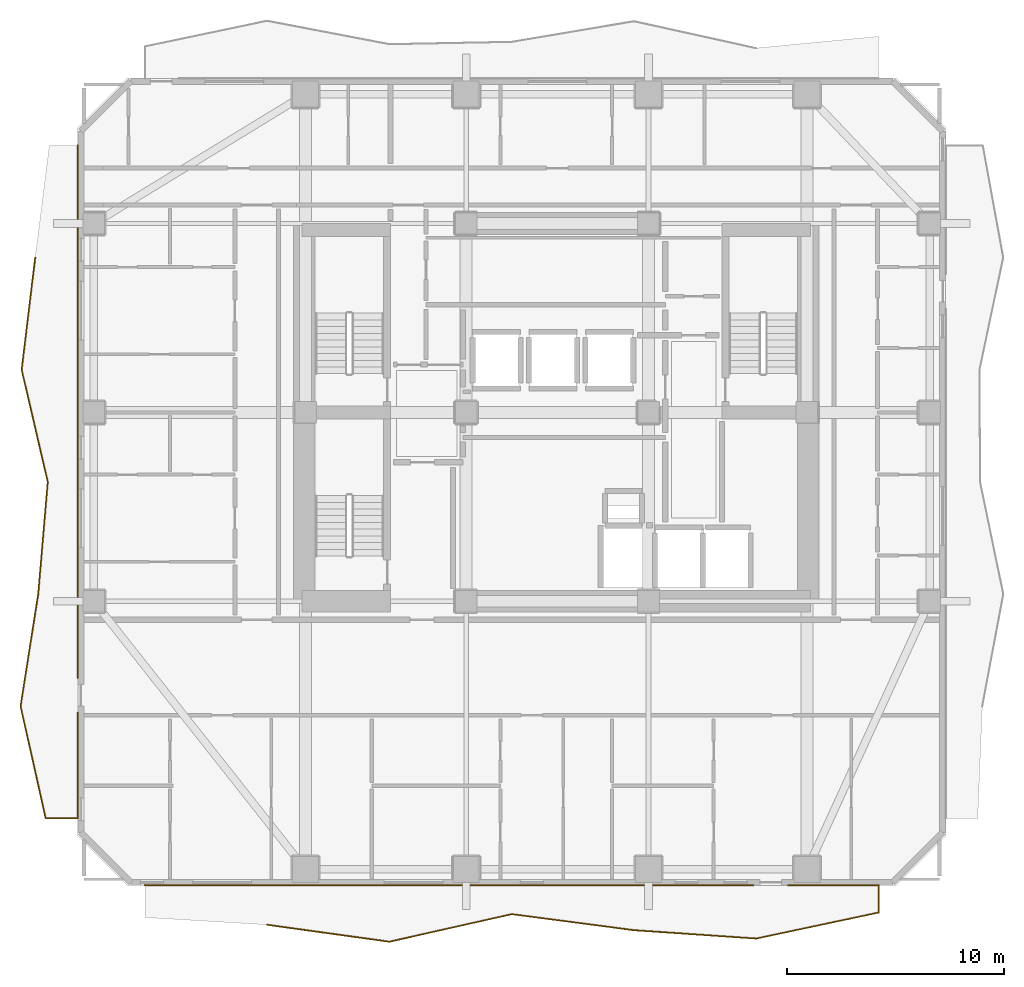
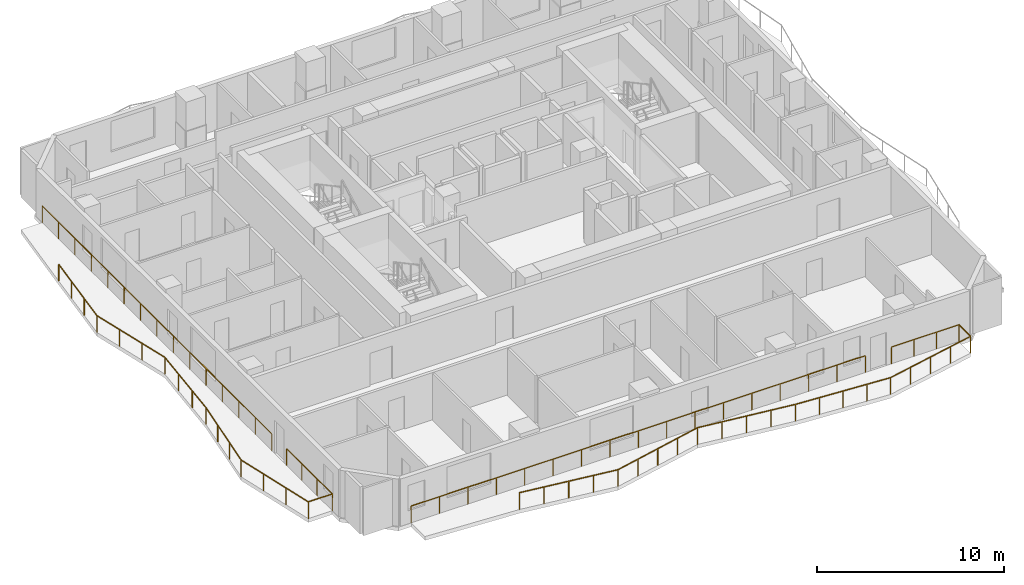
# One storey, part 8 of 11: 4 railings.
"""IFC4 building model written with IfcOpenShell, lengths in metres."""

from ifc_helpers import new_model, si_unit, direction, frame, origin, origin_2d, place, context, subcontext, project, spatial, rectangle, extrude, material, type_object, element, save


model = new_model("IFC4")

# Units and contexts
model_context = context("Model", 3, precision=1e-05, world=origin(), true_north=direction((0.0, 1.0)))
body_context = subcontext(model_context, "Body", "Model", "MODEL_VIEW")
ifc_project = project(units=[si_unit("LENGTHUNIT", "METRE"), si_unit("AREAUNIT", "SQUARE_METRE"), si_unit("VOLUMEUNIT", "CUBIC_METRE"), si_unit("PLANEANGLEUNIT", "RADIAN"), si_unit("MASSUNIT", "GRAM", prefix="KILO")], contexts=[model_context])

# Site, building, storey
site_placement = place(None, origin())
site = spatial("IfcSite", under=ifc_project, at=site_placement, CompositionType="ELEMENT")
building_placement = place(site_placement, origin())
building = spatial("IfcBuilding", under=site, at=building_placement, Name="Solanera Arch Residences", CompositionType="ELEMENT")
storey_placement = place(building_placement, frame((0.0, 0.0, 109.39990234375)))
storey = spatial("IfcBuildingStorey", under=building, at=storey_placement, Name="L31", CompositionType="ELEMENT", Elevation=109.39990234375)

# Railings
ifc_material = material(Name="Steel S355 (ASTM A992 / A572 Grade 50)", Category="steel")
railing_type = type_object("IfcRailingType", Name="Balustrade Railing BL-1100", PredefinedType="BALUSTRADE", material=ifc_material)
railing_1_placement = place(storey_placement, frame((11.633056640625, 7.09912109375, 0.0)))
element("IfcRailing", 1, at=railing_1_placement, inside=storey, type_object=railing_type, Name="L31 S Balcony Balustrade 1", PredefinedType="BALUSTRADE", context=body_context, shape_type="SweptSolid", body=[
    extrude(rectangle(XDim=0.048095703125, YDim=0.048095703125, at=origin_2d()), frame((0.0, 0.0, 1.09619140625), z_axis=(0.990551481572, -0.137141395486, 0.0), x_axis=(0.137141395486, 0.990551481572, 0.0)), (0.0, 0.0, 1.0), 5.687744140625),
    extrude(rectangle(XDim=0.048095703125, YDim=0.048095703125, at=origin_2d()), frame((5.634033203125, -0.780029296875, 1.09619140625), z_axis=(0.9755572075, 0.219745614051, 0.0), x_axis=(-0.219745614051, 0.9755572075, 0.0)), (0.0, 0.0, 1.0), 5.77392578125),
    extrude(rectangle(XDim=0.048095703125, YDim=0.048095703125, at=origin_2d()), frame((11.266845703125, 0.48876953125, 1.09619140625), z_axis=(0.991509348946, -0.130035421918, 0.0), x_axis=(0.130035421918, 0.991509348946, 0.0)), (0.0, 0.0, 1.0), 5.681396484375),
    extrude(rectangle(XDim=0.048095703125, YDim=0.048095703125, at=origin_2d()), frame((16.89990234375, -0.25, 1.09619140625), z_axis=(0.997684959487, -0.068005305771, 0.0), x_axis=(0.068005305771, 0.997684959487, 0.0)), (0.0, 0.0, 1.0), 5.647216796875),
    extrude(rectangle(XDim=0.048095703125, YDim=0.048095703125, at=origin_2d()), frame((22.533935546875, -0.634033203125, 1.09619140625), z_axis=(0.978089953709, 0.20818271411, 0.0), x_axis=(-0.20818271411, 0.978089953709, 0.0)), (0.0, 0.0, 1.0), 5.75927734375),
    extrude(rectangle(XDim=0.048095703125, YDim=0.048095703125, at=origin_2d()), frame((28.1669921875, 0.56494140625, 1.09619140625), z_axis=(0.0, 1.0, 0.0), x_axis=(-1.0, 0.0, 0.0)), (0.0, 0.0, 1.0), 1.255859375),
    extrude(rectangle(XDim=0.048095703125, YDim=0.048095703125, at=origin_2d()), frame((28.1669921875, 1.82080078125, 1.09619140625), z_axis=(-1.0, 0.0, 0.0), x_axis=(0.0, -1.0, 0.0)), (0.0, 0.0, 1.0), 4.1689453125),
    extrude(rectangle(XDim=0.0419921875, YDim=0.0419921875, at=origin_2d()), origin(), (0.0, 0.0, 1.0), 1.072021484375),
    extrude(rectangle(XDim=0.0419921875, YDim=0.0419921875, at=origin_2d()), frame((1.408447265625, -0.195068359375, 0.0)), (0.0, 0.0, 1.0), 1.072021484375),
    extrude(rectangle(XDim=0.0419921875, YDim=0.0419921875, at=origin_2d()), frame((2.81689453125, -0.39013671875, 0.0)), (0.0, 0.0, 1.0), 1.072021484375),
    extrude(rectangle(XDim=0.0419921875, YDim=0.0419921875, at=origin_2d()), frame((4.2255859375, -0.5849609375, 0.0)), (0.0, 0.0, 1.0), 1.072021484375),
    extrude(rectangle(XDim=0.0419921875, YDim=0.0419921875, at=origin_2d()), frame((5.634033203125, -0.780029296875, 0.0)), (0.0, 0.0, 1.0), 1.072021484375),
    extrude(rectangle(XDim=0.0419921875, YDim=0.0419921875, at=origin_2d()), frame((7.042236328125, -0.462890625, 0.0)), (0.0, 0.0, 1.0), 1.072021484375),
    extrude(rectangle(XDim=0.0419921875, YDim=0.0419921875, at=origin_2d()), frame((8.450439453125, -0.1455078125, 0.0)), (0.0, 0.0, 1.0), 1.072021484375),
    extrude(rectangle(XDim=0.0419921875, YDim=0.0419921875, at=origin_2d()), frame((9.858642578125, 0.171630859375, 0.0)), (0.0, 0.0, 1.0), 1.072021484375),
    extrude(rectangle(XDim=0.0419921875, YDim=0.0419921875, at=origin_2d()), frame((11.266845703125, 0.48876953125, 0.0)), (0.0, 0.0, 1.0), 1.072021484375),
    extrude(rectangle(XDim=0.0419921875, YDim=0.0419921875, at=origin_2d()), frame((12.675048828125, 0.30419921875, 0.0)), (0.0, 0.0, 1.0), 1.072021484375),
    extrude(rectangle(XDim=0.0419921875, YDim=0.0419921875, at=origin_2d()), frame((14.08349609375, 0.119384765625, 0.0)), (0.0, 0.0, 1.0), 1.072021484375),
    extrude(rectangle(XDim=0.0419921875, YDim=0.0419921875, at=origin_2d()), frame((15.49169921875, -0.0654296875, 0.0)), (0.0, 0.0, 1.0), 1.072021484375),
    extrude(rectangle(XDim=0.0419921875, YDim=0.0419921875, at=origin_2d()), frame((16.89990234375, -0.25, 0.0)), (0.0, 0.0, 1.0), 1.072021484375),
    extrude(rectangle(XDim=0.0419921875, YDim=0.0419921875, at=origin_2d()), frame((18.308349609375, -0.345947265625, 0.0)), (0.0, 0.0, 1.0), 1.072021484375),
    extrude(rectangle(XDim=0.0419921875, YDim=0.0419921875, at=origin_2d()), frame((19.716796875, -0.44189453125, 0.0)), (0.0, 0.0, 1.0), 1.072021484375),
    extrude(rectangle(XDim=0.0419921875, YDim=0.0419921875, at=origin_2d()), frame((21.12548828125, -0.5380859375, 0.0)), (0.0, 0.0, 1.0), 1.072021484375),
    extrude(rectangle(XDim=0.0419921875, YDim=0.0419921875, at=origin_2d()), frame((22.533935546875, -0.634033203125, 0.0)), (0.0, 0.0, 1.0), 1.072021484375),
    extrude(rectangle(XDim=0.0419921875, YDim=0.0419921875, at=origin_2d()), frame((23.942138671875, -0.334228515625, 0.0)), (0.0, 0.0, 1.0), 1.072021484375),
    extrude(rectangle(XDim=0.0419921875, YDim=0.0419921875, at=origin_2d()), frame((25.3505859375, -0.03466796875, 0.0)), (0.0, 0.0, 1.0), 1.072021484375),
    extrude(rectangle(XDim=0.0419921875, YDim=0.0419921875, at=origin_2d()), frame((26.7587890625, 0.26513671875, 0.0)), (0.0, 0.0, 1.0), 1.072021484375),
    extrude(rectangle(XDim=0.0419921875, YDim=0.0419921875, at=origin_2d()), frame((28.1669921875, 0.56494140625, 0.0)), (0.0, 0.0, 1.0), 1.072021484375),
    extrude(rectangle(XDim=0.0419921875, YDim=0.0419921875, at=origin_2d()), frame((28.1669921875, 1.82080078125, 0.0)), (0.0, 0.0, 1.0), 1.072021484375),
    extrude(rectangle(XDim=0.0419921875, YDim=0.0419921875, at=origin_2d()), frame((26.77734375, 1.82080078125, 0.0)), (0.0, 0.0, 1.0), 1.072021484375),
    extrude(rectangle(XDim=0.0419921875, YDim=0.0419921875, at=origin_2d()), frame((25.3876953125, 1.82080078125, 0.0)), (0.0, 0.0, 1.0), 1.072021484375),
    extrude(rectangle(XDim=0.0419921875, YDim=0.0419921875, at=origin_2d()), frame((23.998046875, 1.82080078125, 0.0)), (0.0, 0.0, 1.0), 1.072021484375),
])
railing_2_placement = place(storey_placement, frame((34.031005859375, 8.919921875, 0.0)))
element("IfcRailing", 2, at=railing_2_placement, inside=storey, type_object=railing_type, Name="L31 S Balcony Balustrade 2", PredefinedType="BALUSTRADE", context=body_context, shape_type="SweptSolid", body=[
    extrude(rectangle(XDim=0.048095703125, YDim=0.048095703125, at=origin_2d()), frame((0.0, 0.0, 1.09619140625), z_axis=(-1.0, 0.0, 0.0), x_axis=(0.0, -1.0, 0.0)), (0.0, 0.0, 1.0), 28.031005859375),
    extrude(rectangle(XDim=0.0419921875, YDim=0.0419921875, at=origin_2d()), origin(), (0.0, 0.0, 1.0), 1.072021484375),
    extrude(rectangle(XDim=0.0419921875, YDim=0.0419921875, at=origin_2d()), frame((-1.751953125, 0.0, 0.0)), (0.0, 0.0, 1.0), 1.072021484375),
    extrude(rectangle(XDim=0.0419921875, YDim=0.0419921875, at=origin_2d()), frame((-3.50390625, 0.0, 0.0)), (0.0, 0.0, 1.0), 1.072021484375),
    extrude(rectangle(XDim=0.0419921875, YDim=0.0419921875, at=origin_2d()), frame((-5.255859375, 0.0, 0.0)), (0.0, 0.0, 1.0), 1.072021484375),
    extrude(rectangle(XDim=0.0419921875, YDim=0.0419921875, at=origin_2d()), frame((-7.0078125, 0.0, 0.0)), (0.0, 0.0, 1.0), 1.072021484375),
    extrude(rectangle(XDim=0.0419921875, YDim=0.0419921875, at=origin_2d()), frame((-8.759765625, 0.0, 0.0)), (0.0, 0.0, 1.0), 1.072021484375),
    extrude(rectangle(XDim=0.0419921875, YDim=0.0419921875, at=origin_2d()), frame((-10.51171875, 0.0, 0.0)), (0.0, 0.0, 1.0), 1.072021484375),
    extrude(rectangle(XDim=0.0419921875, YDim=0.0419921875, at=origin_2d()), frame((-12.263671875, 0.0, 0.0)), (0.0, 0.0, 1.0), 1.072021484375),
    extrude(rectangle(XDim=0.0419921875, YDim=0.0419921875, at=origin_2d()), frame((-14.015625, 0.0, 0.0)), (0.0, 0.0, 1.0), 1.072021484375),
    extrude(rectangle(XDim=0.0419921875, YDim=0.0419921875, at=origin_2d()), frame((-15.767333984375, 0.0, 0.0)), (0.0, 0.0, 1.0), 1.072021484375),
    extrude(rectangle(XDim=0.0419921875, YDim=0.0419921875, at=origin_2d()), frame((-17.519287109375, 0.0, 0.0)), (0.0, 0.0, 1.0), 1.072021484375),
    extrude(rectangle(XDim=0.0419921875, YDim=0.0419921875, at=origin_2d()), frame((-19.271240234375, 0.0, 0.0)), (0.0, 0.0, 1.0), 1.072021484375),
    extrude(rectangle(XDim=0.0419921875, YDim=0.0419921875, at=origin_2d()), frame((-21.023193359375, 0.0, 0.0)), (0.0, 0.0, 1.0), 1.072021484375),
    extrude(rectangle(XDim=0.0419921875, YDim=0.0419921875, at=origin_2d()), frame((-22.775146484375, 0.0, 0.0)), (0.0, 0.0, 1.0), 1.072021484375),
    extrude(rectangle(XDim=0.0419921875, YDim=0.0419921875, at=origin_2d()), frame((-24.527099609375, 0.0, 0.0)), (0.0, 0.0, 1.0), 1.072021484375),
    extrude(rectangle(XDim=0.0419921875, YDim=0.0419921875, at=origin_2d()), frame((-26.279052734375, 0.0, 0.0)), (0.0, 0.0, 1.0), 1.072021484375),
    extrude(rectangle(XDim=0.0419921875, YDim=0.0419921875, at=origin_2d()), frame((-28.031005859375, 0.0, 0.0)), (0.0, 0.0, 1.0), 1.072021484375),
])
railing_3_placement = place(storey_placement, frame((0.950927734375, 37.8330078125, 0.0)))
element("IfcRailing", 3, at=railing_3_placement, inside=storey, type_object=railing_type, Name="L31 W Balcony Balustrade 1", PredefinedType="BALUSTRADE", context=body_context, shape_type="SweptSolid", body=[
    extrude(rectangle(XDim=0.048095703125, YDim=0.048095703125, at=origin_2d()), frame((0.0, 0.0, 1.09619140625), z_axis=(-0.119922216011, -0.992783290606, 0.0), x_axis=(0.992783290606, -0.119922216011, 0.0)), (0.0, 0.0, 1.0), 5.20361328125),
    extrude(rectangle(XDim=0.048095703125, YDim=0.048095703125, at=origin_2d()), frame((-0.6240234375, -5.166015625, 1.09619140625), z_axis=(0.226606904945, -0.973986298996, 0.0), x_axis=(0.973986298996, 0.226606904945, 0.0)), (0.0, 0.0, 1.0), 5.304931640625),
    extrude(rectangle(XDim=0.048095703125, YDim=0.048095703125, at=origin_2d()), frame((0.578125, -10.3330078125, 1.09619140625), z_axis=(-0.084837621057, -0.996394790258, 0.0), x_axis=(0.996394790258, -0.084837621057, 0.0)), (0.0, 0.0, 1.0), 5.185791015625),
    extrude(rectangle(XDim=0.048095703125, YDim=0.048095703125, at=origin_2d()), frame((0.13818359375, -15.5, 1.09619140625), z_axis=(-0.155276885903, -0.987870987885, 0.0), x_axis=(0.987870987885, -0.155276885903, 0.0)), (0.0, 0.0, 1.0), 5.2294921875),
    extrude(rectangle(XDim=0.048095703125, YDim=0.048095703125, at=origin_2d()), frame((-0.673828125, -20.666015625, 1.09619140625), z_axis=(0.218682694149, -0.975796023398, 0.0), x_axis=(0.975796023398, 0.218682694149, 0.0)), (0.0, 0.0, 1.0), 5.295166015625),
    extrude(rectangle(XDim=0.048095703125, YDim=0.048095703125, at=origin_2d()), frame((0.484130859375, -25.8330078125, 1.09619140625), z_axis=(1.0, 0.0, 0.0), x_axis=(0.0, 1.0, 0.0)), (0.0, 0.0, 1.0), 1.48486328125),
    extrude(rectangle(XDim=0.048095703125, YDim=0.048095703125, at=origin_2d()), frame((1.968994140625, -25.8330078125, 1.09619140625), z_axis=(0.0, 1.0, 0.0), x_axis=(-1.0, 0.0, 0.0)), (0.0, 0.0, 1.0), 4.873046875),
    extrude(rectangle(XDim=0.0419921875, YDim=0.0419921875, at=origin_2d()), origin(), (0.0, 0.0, 1.0), 1.072021484375),
    extrude(rectangle(XDim=0.0419921875, YDim=0.0419921875, at=origin_2d()), frame((-0.2080078125, -1.721923828125, 0.0)), (0.0, 0.0, 1.0), 1.072021484375),
    extrude(rectangle(XDim=0.0419921875, YDim=0.0419921875, at=origin_2d()), frame((-0.416015625, -3.444091796875, 0.0)), (0.0, 0.0, 1.0), 1.072021484375),
    extrude(rectangle(XDim=0.0419921875, YDim=0.0419921875, at=origin_2d()), frame((-0.6240234375, -5.166015625, 0.0)), (0.0, 0.0, 1.0), 1.072021484375),
    extrude(rectangle(XDim=0.0419921875, YDim=0.0419921875, at=origin_2d()), frame((-0.223388671875, -6.888427734375, 0.0)), (0.0, 0.0, 1.0), 1.072021484375),
    extrude(rectangle(XDim=0.0419921875, YDim=0.0419921875, at=origin_2d()), frame((0.177490234375, -8.610595703125, 0.0)), (0.0, 0.0, 1.0), 1.072021484375),
    extrude(rectangle(XDim=0.0419921875, YDim=0.0419921875, at=origin_2d()), frame((0.578125, -10.3330078125, 0.0)), (0.0, 0.0, 1.0), 1.072021484375),
    extrude(rectangle(XDim=0.0419921875, YDim=0.0419921875, at=origin_2d()), frame((0.431396484375, -12.055419921875, 0.0)), (0.0, 0.0, 1.0), 1.072021484375),
    extrude(rectangle(XDim=0.0419921875, YDim=0.0419921875, at=origin_2d()), frame((0.284912109375, -13.777587890625, 0.0)), (0.0, 0.0, 1.0), 1.072021484375),
    extrude(rectangle(XDim=0.0419921875, YDim=0.0419921875, at=origin_2d()), frame((0.13818359375, -15.5, 0.0)), (0.0, 0.0, 1.0), 1.072021484375),
    extrude(rectangle(XDim=0.0419921875, YDim=0.0419921875, at=origin_2d()), frame((-0.132568359375, -17.221923828125, 0.0)), (0.0, 0.0, 1.0), 1.072021484375),
    extrude(rectangle(XDim=0.0419921875, YDim=0.0419921875, at=origin_2d()), frame((-0.403076171875, -18.944091796875, 0.0)), (0.0, 0.0, 1.0), 1.072021484375),
    extrude(rectangle(XDim=0.0419921875, YDim=0.0419921875, at=origin_2d()), frame((-0.673828125, -20.666015625, 0.0)), (0.0, 0.0, 1.0), 1.072021484375),
    extrude(rectangle(XDim=0.0419921875, YDim=0.0419921875, at=origin_2d()), frame((-0.287841796875, -22.388427734375, 0.0)), (0.0, 0.0, 1.0), 1.072021484375),
    extrude(rectangle(XDim=0.0419921875, YDim=0.0419921875, at=origin_2d()), frame((0.09814453125, -24.110595703125, 0.0)), (0.0, 0.0, 1.0), 1.072021484375),
    extrude(rectangle(XDim=0.0419921875, YDim=0.0419921875, at=origin_2d()), frame((0.484130859375, -25.8330078125, 0.0)), (0.0, 0.0, 1.0), 1.072021484375),
    extrude(rectangle(XDim=0.0419921875, YDim=0.0419921875, at=origin_2d()), frame((1.968994140625, -25.8330078125, 0.0)), (0.0, 0.0, 1.0), 1.072021484375),
    extrude(rectangle(XDim=0.0419921875, YDim=0.0419921875, at=origin_2d()), frame((1.968994140625, -24.208740234375, 0.0)), (0.0, 0.0, 1.0), 1.072021484375),
    extrude(rectangle(XDim=0.0419921875, YDim=0.0419921875, at=origin_2d()), frame((1.968994140625, -22.584228515625, 0.0)), (0.0, 0.0, 1.0), 1.072021484375),
    extrude(rectangle(XDim=0.0419921875, YDim=0.0419921875, at=origin_2d()), frame((1.968994140625, -20.9599609375, 0.0)), (0.0, 0.0, 1.0), 1.072021484375),
])
railing_4_placement = place(storey_placement, frame((2.919921875, 18.472900390625, 0.0)))
element("IfcRailing", 4, at=railing_4_placement, inside=storey, type_object=railing_type, Name="L31 W Balcony Balustrade 2", PredefinedType="BALUSTRADE", context=body_context, shape_type="SweptSolid", body=[
    extrude(rectangle(XDim=0.048095703125, YDim=0.048095703125, at=origin_2d()), frame((0.0, 0.0, 1.09619140625), z_axis=(0.0, 1.0, 0.0), x_axis=(-1.0, 0.0, 0.0)), (0.0, 0.0, 1.0), 24.527099609375),
    extrude(rectangle(XDim=0.0419921875, YDim=0.0419921875, at=origin_2d()), origin(), (0.0, 0.0, 1.0), 1.072021484375),
    extrude(rectangle(XDim=0.0419921875, YDim=0.0419921875, at=origin_2d()), frame((0.0, 1.751953125, 0.0)), (0.0, 0.0, 1.0), 1.072021484375),
    extrude(rectangle(XDim=0.0419921875, YDim=0.0419921875, at=origin_2d()), frame((0.0, 3.50390625, 0.0)), (0.0, 0.0, 1.0), 1.072021484375),
    extrude(rectangle(XDim=0.0419921875, YDim=0.0419921875, at=origin_2d()), frame((0.0, 5.255859375, 0.0)), (0.0, 0.0, 1.0), 1.072021484375),
    extrude(rectangle(XDim=0.0419921875, YDim=0.0419921875, at=origin_2d()), frame((0.0, 7.0078125, 0.0)), (0.0, 0.0, 1.0), 1.072021484375),
    extrude(rectangle(XDim=0.0419921875, YDim=0.0419921875, at=origin_2d()), frame((0.0, 8.759765625, 0.0)), (0.0, 0.0, 1.0), 1.072021484375),
    extrude(rectangle(XDim=0.0419921875, YDim=0.0419921875, at=origin_2d()), frame((0.0, 10.51171875, 0.0)), (0.0, 0.0, 1.0), 1.072021484375),
    extrude(rectangle(XDim=0.0419921875, YDim=0.0419921875, at=origin_2d()), frame((0.0, 12.263671875, 0.0)), (0.0, 0.0, 1.0), 1.072021484375),
    extrude(rectangle(XDim=0.0419921875, YDim=0.0419921875, at=origin_2d()), frame((0.0, 14.015380859375, 0.0)), (0.0, 0.0, 1.0), 1.072021484375),
    extrude(rectangle(XDim=0.0419921875, YDim=0.0419921875, at=origin_2d()), frame((0.0, 15.767333984375, 0.0)), (0.0, 0.0, 1.0), 1.072021484375),
    extrude(rectangle(XDim=0.0419921875, YDim=0.0419921875, at=origin_2d()), frame((0.0, 17.519287109375, 0.0)), (0.0, 0.0, 1.0), 1.072021484375),
    extrude(rectangle(XDim=0.0419921875, YDim=0.0419921875, at=origin_2d()), frame((0.0, 19.271240234375, 0.0)), (0.0, 0.0, 1.0), 1.072021484375),
    extrude(rectangle(XDim=0.0419921875, YDim=0.0419921875, at=origin_2d()), frame((0.0, 21.023193359375, 0.0)), (0.0, 0.0, 1.0), 1.072021484375),
    extrude(rectangle(XDim=0.0419921875, YDim=0.0419921875, at=origin_2d()), frame((0.0, 22.775146484375, 0.0)), (0.0, 0.0, 1.0), 1.072021484375),
    extrude(rectangle(XDim=0.0419921875, YDim=0.0419921875, at=origin_2d()), frame((0.0, 24.527099609375, 0.0)), (0.0, 0.0, 1.0), 1.072021484375),
])

save(model, "model.ifc")
